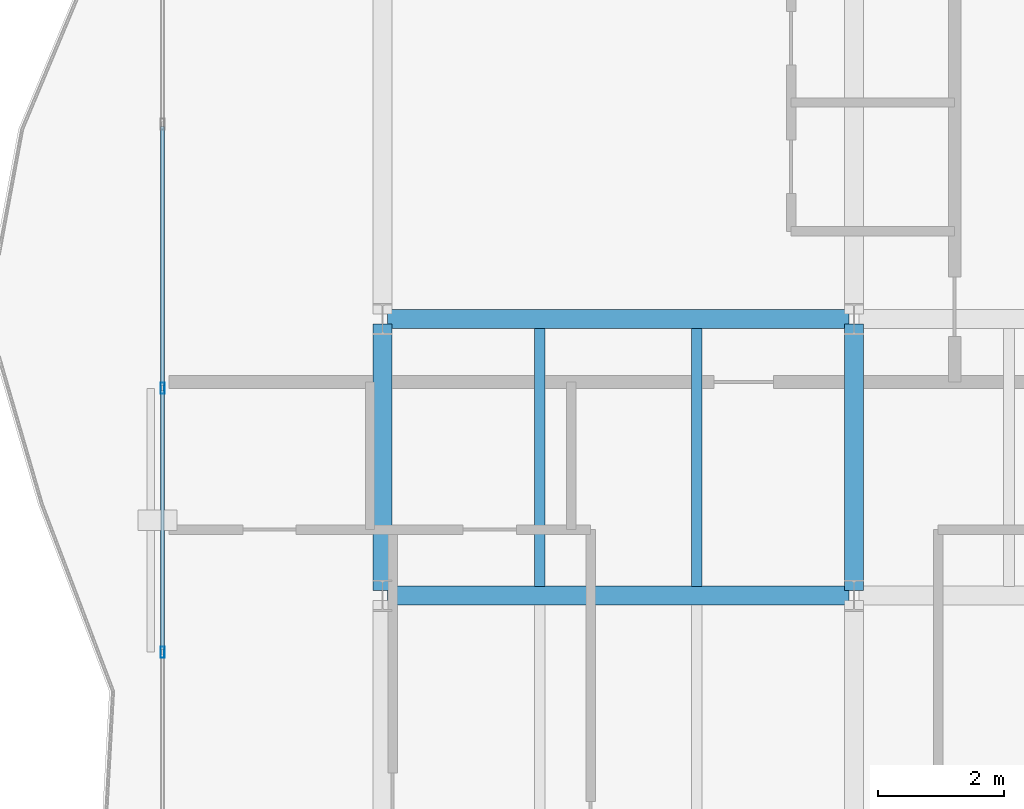
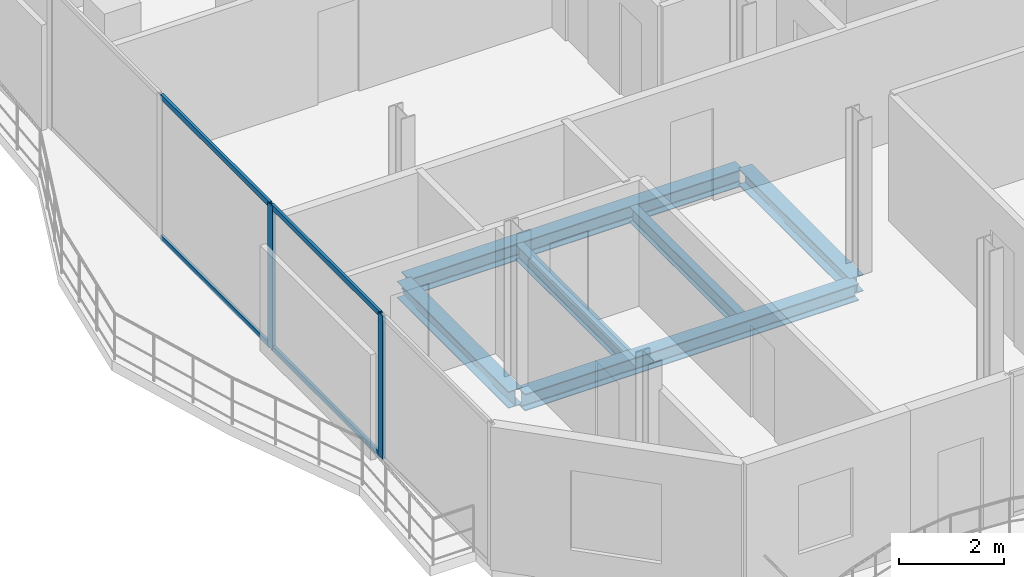
# One storey, part 5 of 24: 6 beams, 6 members, 1 element without a shape of its own.
"""IFC4 building model written with IfcOpenShell, lengths in metres."""

from ifc_helpers import new_model, si_unit, direction, frame, origin, origin_2d, place, context, subcontext, project, spatial, hollow_rectangle, i_section, extrude, material, layer, layer_set, material_profile, profile_set, type_object, element, aggregate, save


model = new_model("IFC4")

# Units and contexts
model_context = context("Model", 3, precision=1e-05, world=origin(), true_north=direction((0.0, 1.0)))
body_context = subcontext(model_context, "Body", "Model", "MODEL_VIEW")
ifc_project = project(units=[si_unit("LENGTHUNIT", "METRE"), si_unit("AREAUNIT", "SQUARE_METRE"), si_unit("VOLUMEUNIT", "CUBIC_METRE"), si_unit("PLANEANGLEUNIT", "RADIAN"), si_unit("MASSUNIT", "GRAM", prefix="KILO")], contexts=[model_context])

# Site, building, storey
site_placement = place(None, origin())
site = spatial("IfcSite", under=ifc_project, at=site_placement, CompositionType="ELEMENT")
building_placement = place(site_placement, origin())
building = spatial("IfcBuilding", under=site, at=building_placement, Name="Catumbela Crestline Tower", CompositionType="ELEMENT")
storey_placement = place(building_placement, frame((0.0, 0.0, 161.4)))
storey = spatial("IfcBuildingStorey", under=building, at=storey_placement, Name="L41", CompositionType="ELEMENT", Elevation=161.4)

# Beams
ifc_material_1 = material(Name="Structural steel S355J2", Category="steel")
ifc_material_profile_1 = material_profile(ifc_material_1, i_section(OverallWidth=0.3, OverallDepth=0.39, WebThickness=0.011, FlangeThickness=0.019, FilletRadius=0.027, at=origin_2d()), Name="HEA 400")
ifc_profile_set_1 = profile_set([ifc_material_profile_1], Name="Structural steel S355J2")
beam_type_1 = type_object("IfcBeamType", Name="BG-HEA400", PredefinedType="BEAM", material=ifc_profile_set_1)
for number, where, z_axis, x_axis, name in (
    (1, (8.58, 13.6, -0.455), (1.0, 0.0, 0.0), (0.0, 1.0, 0.0), "L41 Beam BM-L41-WEW33"),
    (2, (8.58, 18.0, -0.455), (1.0, 0.0, 0.0), (0.0, 1.0, 0.0), "L41 Beam BM-L41-WEW35"),
):
    element("IfcBeam", number, at=place(storey_placement, frame(where, z_axis=z_axis, x_axis=x_axis)), inside=storey, type_object=beam_type_1, Name=name, PredefinedType="BEAM", context=body_context, shape_type="SweptSolid", body=[
        extrude(i_section(OverallWidth=0.3, OverallDepth=0.39, WebThickness=0.011, FlangeThickness=0.019, FilletRadius=0.027, at=origin_2d()), origin(), (0.0, 0.0, 1.0), 7.34),
    ])
for number, where, z_axis, x_axis, name in (
    (3, (8.5, 13.68, -0.455), (0.0, 1.0, 0.0), (-1.0, 0.0, 0.0), "L41 Beam BM-L41-WNS38"),
    (4, (16.0, 13.68, -0.455), (0.0, 1.0, 0.0), (-1.0, 0.0, 0.0), "L41 Beam BM-L41-WNS41"),
):
    element("IfcBeam", number, at=place(storey_placement, frame(where, z_axis=z_axis, x_axis=x_axis)), inside=storey, type_object=beam_type_1, Name=name, PredefinedType="BEAM", context=body_context, shape_type="SweptSolid", body=[
        extrude(i_section(OverallWidth=0.3, OverallDepth=0.39, WebThickness=0.011, FlangeThickness=0.019, FilletRadius=0.027, at=origin_2d()), origin(), (0.0, 0.0, 1.0), 4.24),
    ])
ifc_material_profile_2 = material_profile(ifc_material_1, i_section(OverallWidth=0.17, OverallDepth=0.36, WebThickness=0.008, FlangeThickness=0.0127, FilletRadius=0.018, at=origin_2d()), Name="IPE 360")
ifc_profile_set_2 = profile_set([ifc_material_profile_2], Name="Structural steel S355J2")
beam_type_2 = type_object("IfcBeamType", Name="BJ-IPE360", PredefinedType="JOIST", material=ifc_profile_set_2)
for number, where, z_axis, x_axis, name in (
    (5, (11.0, 13.747, -0.44), (0.0, 1.0, 0.0), (-1.0, 0.0, 0.0), "L41 Joist JS-L41-WG46"),
    (6, (13.5, 13.747, -0.44), (0.0, 1.0, 0.0), (-1.0, 0.0, 0.0), "L41 Joist JS-L41-WG47"),
):
    element("IfcBeam", number, at=place(storey_placement, frame(where, z_axis=z_axis, x_axis=x_axis)), inside=storey, type_object=beam_type_2, Name=name, PredefinedType="JOIST", context=body_context, shape_type="SweptSolid", body=[
        extrude(i_section(OverallWidth=0.17, OverallDepth=0.36, WebThickness=0.008, FlangeThickness=0.0127, FilletRadius=0.018, at=origin_2d()), origin(), (0.0, 0.0, 1.0), 4.106),
    ])

# Curtain wall, members
ifc_material_2 = material(Name="Aluminium alloy AW-6060-T66", Category="aluminium")
ifc_layer = layer(ifc_material_2, 0.18, Name="Aluminium alloy AW-6060-T66")
ifc_layer_set = layer_set([ifc_layer], Name="Aluminium alloy AW-6060-T66")
curtain_wall_type = type_object("IfcCurtainWallType", Name="CWU-Z3", PredefinedType="USERDEFINED", material=ifc_layer_set)
curtain_wall_placement = place(storey_placement, origin())
curtain_wall = element("IfcCurtainWall", 7, at=curtain_wall_placement, inside=storey, type_object=curtain_wall_type, Name="L41 Unitised Curtain Wall CW-L41-E9S2", ObjectType="UNITISED", PredefinedType="USERDEFINED")
ifc_material_profile_3 = material_profile(ifc_material_2, hollow_rectangle(XDim=0.065, YDim=0.18, WallThickness=0.004, at=origin_2d()), Name="ALU 180x65x4")
ifc_profile_set_3 = profile_set([ifc_material_profile_3], Name="Aluminium alloy AW-6060-T66")
member_type_1 = type_object("IfcMemberType", Name="MUL-180X65", PredefinedType="MULLION", material=ifc_profile_set_3)
member_1_placement = place(storey_placement, frame((5.0, 16.9, 0.0), z_axis=(0.0, 0.0, 1.0), x_axis=(1.0, 0.0, 0.0)))
member_1 = element("IfcMember", 8, at=member_1_placement, type_object=member_type_1, Name="CWU-Z3 mullion 5", PredefinedType="MULLION", context=body_context, shape_type="SweptSolid", body=[
    extrude(hollow_rectangle(XDim=0.065, YDim=0.18, WallThickness=0.004, at=origin_2d()), origin(), (0.0, 0.0, 1.0), 3.33),
])
member_2_placement = place(storey_placement, frame((5.0, 12.7, 0.0), z_axis=(0.0, 0.0, 1.0), x_axis=(1.0, 0.0, 0.0)))
member_2 = element("IfcMember", 9, at=member_2_placement, type_object=member_type_1, Name="CWU-Z3 mullion 6", PredefinedType="MULLION", context=body_context, shape_type="SweptSolid", body=[
    extrude(hollow_rectangle(XDim=0.065, YDim=0.18, WallThickness=0.004, at=origin_2d()), origin(), (0.0, 0.0, 1.0), 3.33),
])
ifc_material_profile_4 = material_profile(ifc_material_2, hollow_rectangle(XDim=0.06, YDim=0.12, WallThickness=0.0035, at=origin_2d()), Name="ALU 120x60x3.5")
ifc_profile_set_4 = profile_set([ifc_material_profile_4], Name="Aluminium alloy AW-6060-T66")
member_type_2 = type_object("IfcMemberType", Name="TRN-120X60", PredefinedType="USERDEFINED", material=ifc_profile_set_4)
member_3_placement = place(storey_placement, frame((5.0, 21.0675, 0.03), z_axis=(0.0, -1.0, 0.0), x_axis=(1.0, 0.0, 0.0)))
member_3 = element("IfcMember", 10, at=member_3_placement, type_object=member_type_2, Name="CWU-Z3 transom 4.1", ObjectType="TRANSOM", PredefinedType="USERDEFINED", context=body_context, shape_type="SweptSolid", body=[
    extrude(hollow_rectangle(XDim=0.06, YDim=0.12, WallThickness=0.0035, at=origin_2d()), origin(), (0.0, 0.0, 1.0), 4.135),
])
member_4_placement = place(storey_placement, frame((5.0, 21.0675, 3.3), z_axis=(0.0, -1.0, 0.0), x_axis=(1.0, 0.0, 0.0)))
member_4 = element("IfcMember", 11, at=member_4_placement, type_object=member_type_2, Name="CWU-Z3 transom 4.2", ObjectType="TRANSOM", PredefinedType="USERDEFINED", context=body_context, shape_type="SweptSolid", body=[
    extrude(hollow_rectangle(XDim=0.06, YDim=0.12, WallThickness=0.0035, at=origin_2d()), origin(), (0.0, 0.0, 1.0), 4.135),
])
member_5_placement = place(storey_placement, frame((5.0, 16.8675, 0.03), z_axis=(0.0, -1.0, 0.0), x_axis=(1.0, 0.0, 0.0)))
member_5 = element("IfcMember", 12, at=member_5_placement, type_object=member_type_2, Name="CWU-Z3 transom 5.1", ObjectType="TRANSOM", PredefinedType="USERDEFINED", context=body_context, shape_type="SweptSolid", body=[
    extrude(hollow_rectangle(XDim=0.06, YDim=0.12, WallThickness=0.0035, at=origin_2d()), origin(), (0.0, 0.0, 1.0), 4.135),
])
member_6_placement = place(storey_placement, frame((5.0, 16.8675, 3.3), z_axis=(0.0, -1.0, 0.0), x_axis=(1.0, 0.0, 0.0)))
member_6 = element("IfcMember", 13, at=member_6_placement, type_object=member_type_2, Name="CWU-Z3 transom 5.2", ObjectType="TRANSOM", PredefinedType="USERDEFINED", context=body_context, shape_type="SweptSolid", body=[
    extrude(hollow_rectangle(XDim=0.06, YDim=0.12, WallThickness=0.0035, at=origin_2d()), origin(), (0.0, 0.0, 1.0), 4.135),
])
aggregate(curtain_wall, [member_1, member_2, member_3, member_4, member_5, member_6])

save(model, "model.ifc")
